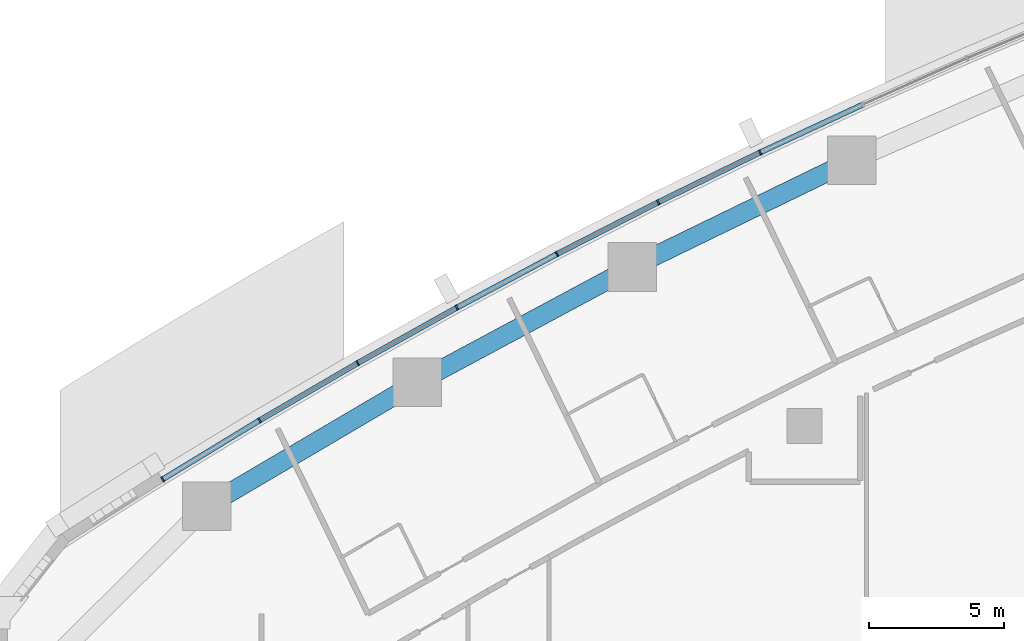
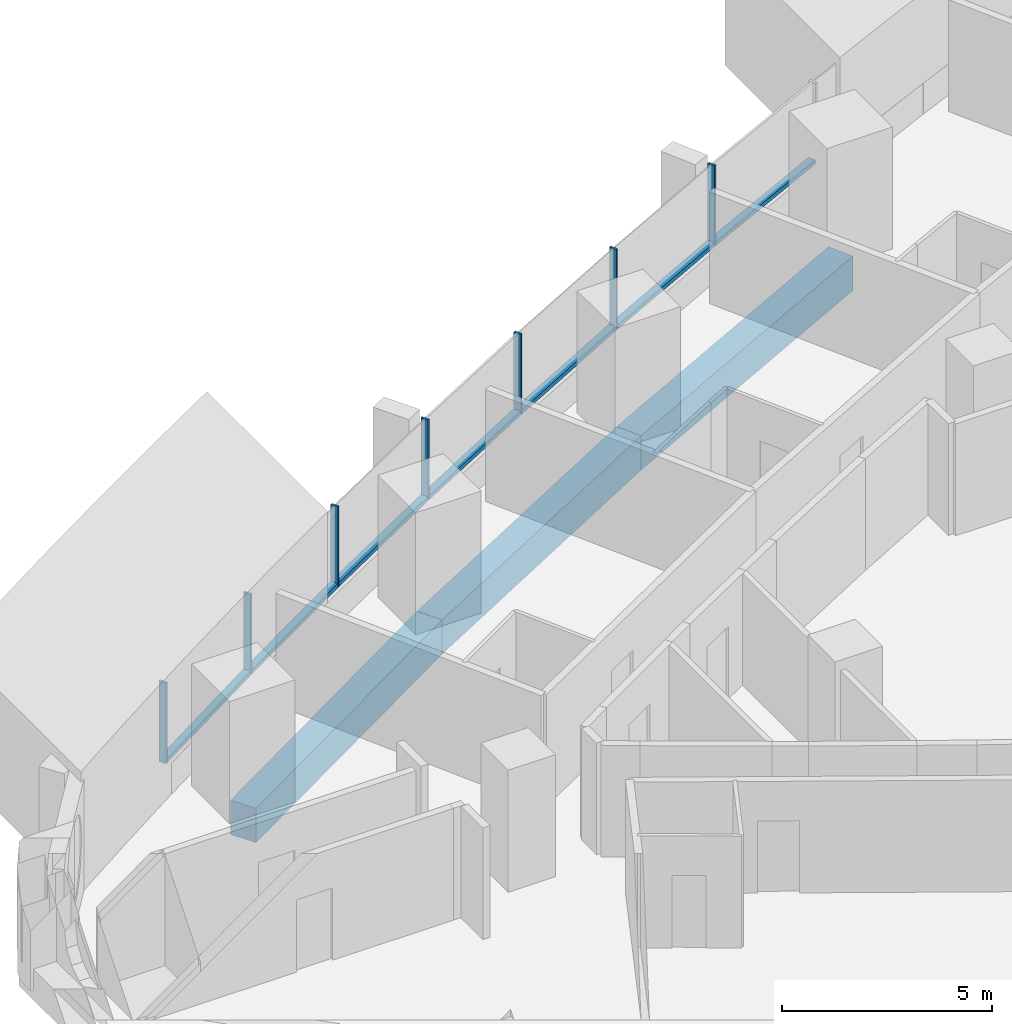
# One storey, part 5 of 19: 14 members, 3 beams, 3 elements without a shape of their own.
"""IFC4 building model written with IfcOpenShell, lengths in metres."""

from ifc_helpers import new_model, si_unit, direction, frame, origin, origin_2d, place, context, subcontext, project, spatial, rectangle, extrude, material, layer, layer_set, material_profile, profile_set, type_object, element, aggregate, save


model = new_model("IFC4")

# Units and contexts
model_context = context("Model", 3, precision=1e-05, world=origin(), true_north=direction((0.0, 1.0)))
body_context = subcontext(model_context, "Body", "Model", "MODEL_VIEW")
ifc_project = project(units=[si_unit("LENGTHUNIT", "METRE"), si_unit("AREAUNIT", "SQUARE_METRE"), si_unit("VOLUMEUNIT", "CUBIC_METRE"), si_unit("PLANEANGLEUNIT", "RADIAN"), si_unit("MASSUNIT", "GRAM", prefix="KILO")], contexts=[model_context])

# Site, building, storey
site_placement = place(None, origin())
site = spatial("IfcSite", under=ifc_project, at=site_placement, CompositionType="ELEMENT")
building_placement = place(site_placement, origin())
building = spatial("IfcBuilding", under=site, at=building_placement, Name="Ostrand Prow Hotel Tower", CompositionType="ELEMENT")
storey_placement = place(building_placement, frame((0.0, 0.0, 60.89990234375)))
storey = spatial("IfcBuildingStorey", under=building, at=storey_placement, Name="L13", CompositionType="ELEMENT", Elevation=60.89990234375)

# Beams
ifc_material_1 = material(Name="Concrete C80/95", Category="concrete")
ifc_material_profile_1 = material_profile(ifc_material_1, rectangle(XDim=0.699951171875, YDim=1.0, at=origin_2d()), Name="RC 700x1000")
ifc_profile_set_1 = profile_set([ifc_material_profile_1], Name="Concrete C80/95")
beam_type = type_object("IfcBeamType", Name="Edge beam 700x1000 C80/95", PredefinedType="SPANDREL", material=ifc_profile_set_1)
beam_1_placement = place(storey_placement, frame((35.7412109375, 18.814208984375, -0.7998046875), z_axis=(-0.899382499202, -0.437162578601, 0.0), x_axis=(0.437162578601, -0.899382499202, 0.0)))
element("IfcBeam", 1, at=beam_1_placement, inside=storey, type_object=beam_type, Name="Edge beam N3-N4", PredefinedType="SPANDREL", context=body_context, shape_type="SweptSolid", body=[
    extrude(rectangle(XDim=0.699951171875, YDim=1.0, at=origin_2d()), origin(), (0.0, 0.0, 1.0), 9.012451171875),
])
beam_2_placement = place(storey_placement, frame((27.635498046875, 14.874267578125, -0.7998046875), z_axis=(-0.881270074696, -0.472613008122, 0.0), x_axis=(0.472613008122, -0.881270074696, 0.0)))
element("IfcBeam", 2, at=beam_2_placement, inside=storey, type_object=beam_type, Name="Edge beam N4-N5", PredefinedType="SPANDREL", context=body_context, shape_type="SweptSolid", body=[
    extrude(rectangle(XDim=0.699951171875, YDim=1.0, at=origin_2d()), origin(), (0.0, 0.0, 1.0), 9.0126953125),
])
beam_3_placement = place(storey_placement, frame((19.69287109375, 10.61474609375, -0.7998046875), z_axis=(-0.861725230108, -0.507375233722, 0.0), x_axis=(0.507375233722, -0.861725230108, 0.0)))
element("IfcBeam", 3, at=beam_3_placement, inside=storey, type_object=beam_type, Name="Edge beam N5-N6", PredefinedType="SPANDREL", context=body_context, shape_type="SweptSolid", body=[
    extrude(rectangle(XDim=0.699951171875, YDim=1.0, at=origin_2d()), origin(), (0.0, 0.0, 1.0), 9.012451171875),
])

# Curtain wall, members
ifc_material_2 = material(Name="Insulated glass in bronze anodised frame", Category="glass")
ifc_layer = layer(ifc_material_2, 0.199951171875)
ifc_layer_set = layer_set([ifc_layer], Name="Insulated glass in bronze anodised frame")
curtain_wall_type = type_object("IfcCurtainWallType", Name="Strip curtain wall, fritted glass over bronze spandrel", PredefinedType="NOTDEFINED", material=ifc_layer_set)
curtain_wall_1_placement = place(storey_placement, origin())
curtain_wall_1 = element("IfcCurtainWall", 4, at=curtain_wall_1_placement, inside=storey, type_object=curtain_wall_type, Name="CW1 run CWN3", PredefinedType="NOTDEFINED")
ifc_material_3 = material(Name="Bronze anodised aluminium", Category="aluminium")
ifc_material_profile_2 = material_profile(ifc_material_3, rectangle(XDim=0.199951171875, YDim=0.06005859375, at=origin_2d()), Name="Mullion 60x200 bronze anodised aluminium")
ifc_profile_set_2 = profile_set([ifc_material_profile_2], Name="Bronze anodised aluminium")
member_type_1 = type_object("IfcMemberType", Name="Mullion 60x200 bronze anodised aluminium", PredefinedType="MULLION", material=ifc_profile_set_2)
member_1_placement = place(storey_placement, frame((32.360595703125, 19.10498046875, 0.900146484375), z_axis=(0.0, 0.0, 1.0), x_axis=(0.439138077204, -0.898419584131, 0.0)))
member_1 = element("IfcMember", 5, at=member_1_placement, type_object=member_type_1, Name="CW1 mullion 2", PredefinedType="MULLION", context=body_context, shape_type="SweptSolid", body=[
    extrude(rectangle(XDim=0.199951171875, YDim=0.06005859375, at=origin_2d()), origin(), (0.0, 0.0, 1.0), 2.349853515625),
])
member_2_placement = place(storey_placement, frame((28.59228515625, 17.262939453125, 0.900146484375), z_axis=(0.0, 0.0, 1.0), x_axis=(0.439138077204, -0.898419584131, 0.0)))
member_2 = element("IfcMember", 6, at=member_2_placement, type_object=member_type_1, Name="CW1 mullion 3", PredefinedType="MULLION", context=body_context, shape_type="SweptSolid", body=[
    extrude(rectangle(XDim=0.199951171875, YDim=0.06005859375, at=origin_2d()), origin(), (0.0, 0.0, 1.0), 2.349853515625),
])

curtain_wall_2_placement = place(storey_placement, origin())
curtain_wall_2 = element("IfcCurtainWall", 7, at=curtain_wall_2_placement, inside=storey, type_object=curtain_wall_type, Name="CW1 run CWN4", PredefinedType="NOTDEFINED")
member_3_placement = place(storey_placement, frame((24.858642578125, 15.35205078125, 0.900146484375), z_axis=(0.0, 0.0, 1.0), x_axis=(0.471899992481, -0.881652083929, 0.0)))
member_3 = element("IfcMember", 8, at=member_3_placement, type_object=member_type_1, Name="CW1 mullion 2", PredefinedType="MULLION", context=body_context, shape_type="SweptSolid", body=[
    extrude(rectangle(XDim=0.199951171875, YDim=0.06005859375, at=origin_2d()), origin(), (0.0, 0.0, 1.0), 2.349853515625),
])
member_4_placement = place(storey_placement, frame((21.160888671875, 13.372802734375, 0.900146484375), z_axis=(0.0, 0.0, 1.0), x_axis=(0.488043996167, -0.872819029241, 0.0)))
member_4 = element("IfcMember", 9, at=member_4_placement, type_object=member_type_1, Name="CW1 mullion 3", PredefinedType="MULLION", context=body_context, shape_type="SweptSolid", body=[
    extrude(rectangle(XDim=0.199951171875, YDim=0.06005859375, at=origin_2d()), origin(), (0.0, 0.0, 1.0), 2.349853515625),
])
member_5_placement = place(storey_placement, frame((17.5, 11.325927734375, 0.900146484375), z_axis=(0.0, 0.0, 1.0), x_axis=(0.488043996167, -0.872819029241, 0.0)))
member_5 = element("IfcMember", 10, at=member_5_placement, type_object=member_type_1, Name="CW1 mullion 4", PredefinedType="MULLION", context=body_context, shape_type="SweptSolid", body=[
    extrude(rectangle(XDim=0.199951171875, YDim=0.06005859375, at=origin_2d()), origin(), (0.0, 0.0, 1.0), 2.349853515625),
])

curtain_wall_3_placement = place(storey_placement, origin())
curtain_wall_3 = element("IfcCurtainWall", 11, at=curtain_wall_3_placement, inside=storey, type_object=curtain_wall_type, Name="CW1 run CWN5", PredefinedType="NOTDEFINED")
member_6_placement = place(storey_placement, frame((13.87744140625, 9.2119140625, 0.900146484375), z_axis=(0.0, 0.0, 1.0), x_axis=(0.519830761515, -0.854269266322, 0.0)))
member_6 = element("IfcMember", 12, at=member_6_placement, type_object=member_type_1, Name="CW1 mullion 2", PredefinedType="MULLION", context=body_context, shape_type="SweptSolid", body=[
    extrude(rectangle(XDim=0.199951171875, YDim=0.06005859375, at=origin_2d()), origin(), (0.0, 0.0, 1.0), 2.349853515625),
])
member_7_placement = place(storey_placement, frame((10.29443359375, 7.031494140625, 0.900146484375), z_axis=(0.0, 0.0, 1.0), x_axis=(0.519830761515, -0.854269266322, 0.0)))
member_7 = element("IfcMember", 13, at=member_7_placement, type_object=member_type_1, Name="CW1 mullion 3", PredefinedType="MULLION", context=body_context, shape_type="SweptSolid", body=[
    extrude(rectangle(XDim=0.199951171875, YDim=0.06005859375, at=origin_2d()), origin(), (0.0, 0.0, 1.0), 2.349853515625),
])

# Member
ifc_material_4 = material(Name="Bronze anodised aluminium", Category="aluminium")
ifc_material_profile_3 = material_profile(ifc_material_4, rectangle(XDim=0.199951171875, YDim=0.1201171875, at=origin_2d()), Name="Transom 120x200 bronze anodised aluminium")
ifc_profile_set_3 = profile_set([ifc_material_profile_3], Name="Bronze anodised aluminium")
member_type_2 = type_object("IfcMemberType", Name="Transom 120x200 bronze anodised aluminium", PredefinedType="USERDEFINED", material=ifc_profile_set_3)
member_8_placement = place(storey_placement, frame((36.135009765625, 20.864501953125, 0.960205078125), z_axis=(-0.906338458793, -0.422552479714, 0.0), x_axis=(0.422552479714, -0.906338458793, 0.0)))
member_8 = element("IfcMember", 14, at=member_8_placement, type_object=member_type_2, Name="CW1 transom 1.1", ObjectType="TRANSOM", PredefinedType="USERDEFINED", context=body_context, shape_type="SweptSolid", body=[
    extrude(rectangle(XDim=0.199951171875, YDim=0.1201171875, at=origin_2d()), origin(), (0.0, 0.0, 1.0), 4.134521484375),
])

member_9_placement = place(storey_placement, frame((32.33349609375, 19.091796875, 0.960205078125), z_axis=(-0.898395234758, -0.439187889364, 0.0), x_axis=(0.439187889364, -0.898395234758, 0.0)))
member_9 = element("IfcMember", 15, at=member_9_placement, type_object=member_type_2, Name="CW1 transom 2.1", ObjectType="TRANSOM", PredefinedType="USERDEFINED", context=body_context, shape_type="SweptSolid", body=[
    extrude(rectangle(XDim=0.199951171875, YDim=0.1201171875, at=origin_2d()), origin(), (0.0, 0.0, 1.0), 4.13427734375),
])

aggregate(curtain_wall_1, [member_1, member_2, member_8, member_9])

member_10_placement = place(storey_placement, frame((28.565673828125, 17.249267578125, 0.960205078125), z_axis=(-0.890182999343, -0.455603147136, 0.0), x_axis=(0.455603147136, -0.890182999343, 0.0)))
member_10 = element("IfcMember", 16, at=member_10_placement, type_object=member_type_2, Name="CW1 transom 1.1", ObjectType="TRANSOM", PredefinedType="USERDEFINED", context=body_context, shape_type="SweptSolid", body=[
    extrude(rectangle(XDim=0.199951171875, YDim=0.1201171875, at=origin_2d()), origin(), (0.0, 0.0, 1.0), 4.13427734375),
])

member_11_placement = place(storey_placement, frame((24.832275390625, 15.337890625, 0.960205078125), z_axis=(-0.881657241639, -0.471890356191, 0.0), x_axis=(0.471890356191, -0.881657241639, 0.0)))
member_11 = element("IfcMember", 17, at=member_11_placement, type_object=member_type_2, Name="CW1 transom 2.1", ObjectType="TRANSOM", PredefinedType="USERDEFINED", context=body_context, shape_type="SweptSolid", body=[
    extrude(rectangle(XDim=0.199951171875, YDim=0.1201171875, at=origin_2d()), origin(), (0.0, 0.0, 1.0), 4.13427734375),
])

member_12_placement = place(storey_placement, frame((21.134765625, 13.358154296875, 0.960205078125), z_axis=(-0.872842137405, -0.488002667175, 0.0), x_axis=(0.488002667175, -0.872842137405, 0.0)))
member_12 = element("IfcMember", 18, at=member_12_placement, type_object=member_type_2, Name="CW1 transom 3.1", ObjectType="TRANSOM", PredefinedType="USERDEFINED", context=body_context, shape_type="SweptSolid", body=[
    extrude(rectangle(XDim=0.199951171875, YDim=0.1201171875, at=origin_2d()), origin(), (0.0, 0.0, 1.0), 4.13427734375),
])

aggregate(curtain_wall_2, [member_3, member_4, member_5, member_10, member_11, member_12])

member_13_placement = place(storey_placement, frame((17.47412109375, 11.310791015625, 0.960205078125), z_axis=(-0.863697501622, -0.504010541251, 0.0), x_axis=(0.504010541251, -0.863697501622, 0.0)))
member_13 = element("IfcMember", 19, at=member_13_placement, type_object=member_type_2, Name="CW1 transom 1.1", ObjectType="TRANSOM", PredefinedType="USERDEFINED", context=body_context, shape_type="SweptSolid", body=[
    extrude(rectangle(XDim=0.199951171875, YDim=0.1201171875, at=origin_2d()), origin(), (0.0, 0.0, 1.0), 4.13427734375),
])

member_14_placement = place(storey_placement, frame((13.851806640625, 9.1962890625, 0.960205078125), z_axis=(-0.8542612678, -0.519843905741, 0.0), x_axis=(0.519843905741, -0.8542612678, 0.0)))
member_14 = element("IfcMember", 20, at=member_14_placement, type_object=member_type_2, Name="CW1 transom 2.1", ObjectType="TRANSOM", PredefinedType="USERDEFINED", context=body_context, shape_type="SweptSolid", body=[
    extrude(rectangle(XDim=0.199951171875, YDim=0.1201171875, at=origin_2d()), origin(), (0.0, 0.0, 1.0), 4.13427734375),
])

aggregate(curtain_wall_3, [member_6, member_7, member_13, member_14])

save(model, "model.ifc")
